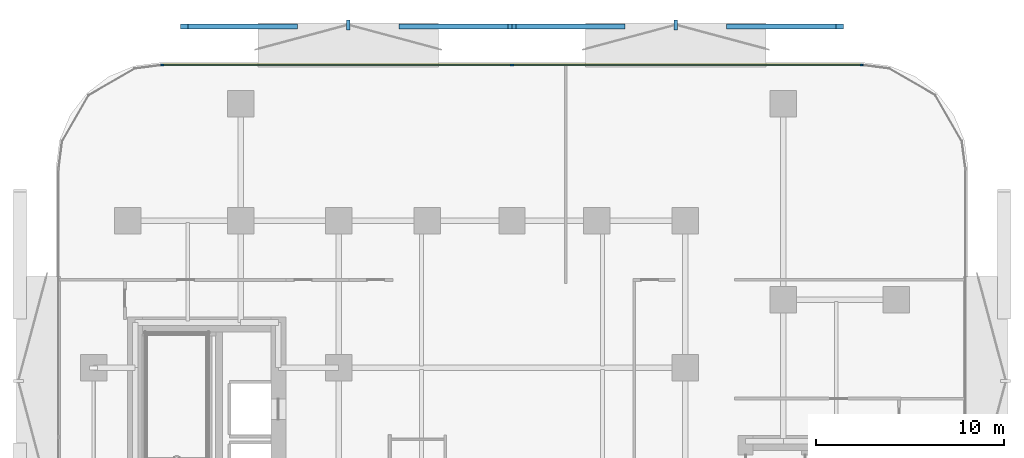
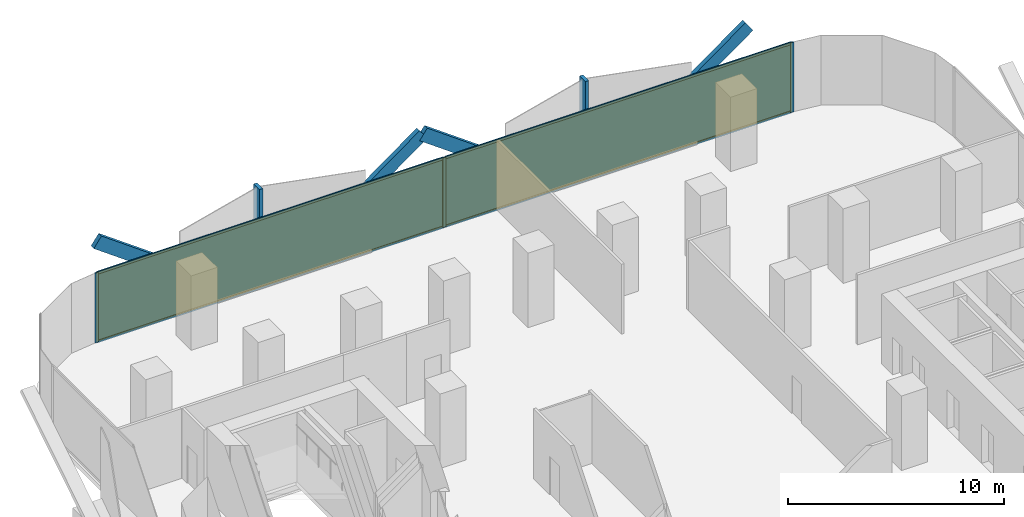
# One storey, part 10 of 15: 13 members, 2 plates, 1 curtain wall.
"""IFC4 building model written with IfcOpenShell, lengths in metres."""

from ifc_helpers import new_model, si_unit, direction, frame, frame_2d, origin, origin_2d, place, context, subcontext, project, spatial, rectangle, extrude, material, layer, layer_set, material_profile, profile_set, type_object, element, aggregate, save


model = new_model("IFC4")

# Units and contexts
model_context = context("Model", 3, precision=1e-05, world=origin(), true_north=direction((0.0, 1.0)))
body_context = subcontext(model_context, "Body", "Model", "MODEL_VIEW")
ifc_project = project(units=[si_unit("LENGTHUNIT", "METRE"), si_unit("AREAUNIT", "SQUARE_METRE"), si_unit("VOLUMEUNIT", "CUBIC_METRE"), si_unit("PLANEANGLEUNIT", "RADIAN"), si_unit("MASSUNIT", "GRAM", prefix="KILO")], contexts=[model_context])

# Member
ifc_material_1 = material(Name="Anodised Bronze Aluminium 6063-T6", Category="aluminium")
ifc_material_profile_1 = material_profile(ifc_material_1, rectangle(XDim=0.260009765625, YDim=0.699951171875, at=origin_2d()))
ifc_profile_set_1 = profile_set([ifc_material_profile_1], Name="Anodised Bronze Aluminium 6063-T6")
member_type_1 = type_object("IfcMemberType", Name="Bronze Diamond Solar-Screen Lattice Rib BDL-700", PredefinedType="MULLION", material=ifc_profile_set_1)
site_placement = place(None, origin())
building_placement = place(site_placement, origin())
storey_placement = place(building_placement, frame((0.0, 0.0, 34.39990234375)))
member_1_placement = place(storey_placement, frame((-5.796875, 28.89990234375, -0.1298828125), z_axis=(0.80979516686, 0.0, 0.58671269607), x_axis=(0.0, 1.0, 0.0)))
member_1 = element("IfcMember", 1, at=member_1_placement, type_object=member_type_1, Name="L08 Bronze Diamond Solar Screen Lattice Rib 21A", PredefinedType="MULLION", context=body_context, shape_type="SweptSolid", body=[
    extrude(rectangle(XDim=0.260009765625, YDim=0.699951171875, at=origin_2d()), origin(), (0.0, 0.0, 1.0), 7.158447265625),
])

member_2_placement = place(storey_placement, frame((-11.593994140625, 28.89990234375, -0.1298828125), z_axis=(-0.80979516686, 0.0, 0.58671269607), x_axis=(0.0, -1.0, 0.0)))
member_2 = element("IfcMember", 2, at=member_2_placement, type_object=member_type_1, Name="L08 Bronze Diamond Solar Screen Lattice Rib 21B", PredefinedType="MULLION", context=body_context, shape_type="SweptSolid", body=[
    extrude(rectangle(XDim=0.260009765625, YDim=0.699951171875, at=origin_2d()), origin(), (0.0, 0.0, 1.0), 7.158447265625),
])

member_3_placement = place(storey_placement, frame((11.593994140625, 28.89990234375, -0.1298828125), z_axis=(0.80979516686, 0.0, 0.58671269607), x_axis=(0.0, 1.0, 0.0)))
member_3 = element("IfcMember", 3, at=member_3_placement, type_object=member_type_1, Name="L08 Bronze Diamond Solar Screen Lattice Rib 22A", PredefinedType="MULLION", context=body_context, shape_type="SweptSolid", body=[
    extrude(rectangle(XDim=0.260009765625, YDim=0.699951171875, at=origin_2d()), origin(), (0.0, 0.0, 1.0), 7.158447265625),
])

member_4_placement = place(storey_placement, frame((5.796875, 28.89990234375, -0.1298828125), z_axis=(-0.80979516686, 0.0, 0.58671269607), x_axis=(0.0, -1.0, 0.0)))
member_4 = element("IfcMember", 4, at=member_4_placement, type_object=member_type_1, Name="L08 Bronze Diamond Solar Screen Lattice Rib 22B", PredefinedType="MULLION", context=body_context, shape_type="SweptSolid", body=[
    extrude(rectangle(XDim=0.260009765625, YDim=0.699951171875, at=origin_2d()), origin(), (0.0, 0.0, 1.0), 7.158447265625),
])

ifc_material_2 = material(Name="Anodised Bronze Aluminium 6063-T6", Category="aluminium")
ifc_material_profile_2 = material_profile(ifc_material_2, rectangle(XDim=0.179931640625, YDim=0.5400390625, at=origin_2d()))
ifc_profile_set_2 = profile_set([ifc_material_profile_2], Name="Anodised Bronze Aluminium 6063-T6")
member_type_2 = type_object("IfcMemberType", Name="Bronze Solar-Screen Vertical Fold Fin BSF-540", PredefinedType="MULLION", material=ifc_profile_set_2)
member_5_placement = place(storey_placement, frame((-8.6953125, 28.97998046875, -0.1298828125), z_axis=(0.0, 0.0, 1.0), x_axis=(1.0, 0.0, 0.0)))
member_5 = element("IfcMember", 5, at=member_5_placement, type_object=member_type_2, Name="L08 Bronze Solar Screen Vertical Fin 21", PredefinedType="MULLION", context=body_context, shape_type="SweptSolid", body=[
    extrude(rectangle(XDim=0.179931640625, YDim=0.5400390625, at=origin_2d()), origin(), (0.0, 0.0, 1.0), 4.199951171875),
])

member_6_placement = place(storey_placement, frame((8.6953125, 28.97998046875, -0.1298828125), z_axis=(0.0, 0.0, 1.0), x_axis=(1.0, 0.0, 0.0)))
member_6 = element("IfcMember", 6, at=member_6_placement, type_object=member_type_2, Name="L08 Bronze Solar Screen Vertical Fin 22", PredefinedType="MULLION", context=body_context, shape_type="SweptSolid", body=[
    extrude(rectangle(XDim=0.179931640625, YDim=0.5400390625, at=origin_2d()), origin(), (0.0, 0.0, 1.0), 4.199951171875),
])

ifc_material_3 = material(Name="Anodised Bronze Aluminium 6063-T6", Category="aluminium")
ifc_material_profile_3 = material_profile(ifc_material_3, rectangle(XDim=0.06494140625, YDim=0.179931640625, at=origin_2d()))
ifc_profile_set_3 = profile_set([ifc_material_profile_3], Name="Anodised Bronze Aluminium 6063-T6")
member_type_3 = type_object("IfcMemberType", Name="CW-Z1 Mullion 65x180", PredefinedType="MULLION", material=ifc_profile_set_3)
member_7_placement = place(storey_placement, frame((-18.558349609375, 26.860107421875, 0.0), z_axis=(0.0, 0.0, 1.0), x_axis=(0.0, 1.0, 0.0)))
member_7 = element("IfcMember", 7, at=member_7_placement, type_object=member_type_3, Name="CW-Z1 mullion 1", PredefinedType="MULLION", context=body_context, shape_type="SweptSolid", body=[
    extrude(rectangle(XDim=0.06494140625, YDim=0.179931640625, at=origin_2d()), origin(), (0.0, 0.0, 1.0), 3.940185546875),
])

member_8_placement = place(storey_placement, frame((0.0, 26.860107421875, 0.0), z_axis=(0.0, 0.0, 1.0), x_axis=(0.0, 1.0, 0.0)))
member_8 = element("IfcMember", 8, at=member_8_placement, type_object=member_type_3, Name="CW-Z1 mullion 2", PredefinedType="MULLION", context=body_context, shape_type="SweptSolid", body=[
    extrude(rectangle(XDim=0.06494140625, YDim=0.179931640625, at=origin_2d()), origin(), (0.0, 0.0, 1.0), 3.940185546875),
])

member_9_placement = place(storey_placement, frame((18.558349609375, 26.860107421875, 0.0), z_axis=(0.0, 0.0, 1.0), x_axis=(0.0, 1.0, 0.0)))
member_9 = element("IfcMember", 9, at=member_9_placement, type_object=member_type_3, Name="CW-Z1 mullion 3", PredefinedType="MULLION", context=body_context, shape_type="SweptSolid", body=[
    extrude(rectangle(XDim=0.06494140625, YDim=0.179931640625, at=origin_2d()), origin(), (0.0, 0.0, 1.0), 3.940185546875),
])

ifc_material_4 = material(Name="Anodised Bronze Aluminium 6063-T6", Category="aluminium")
ifc_material_profile_4 = material_profile(ifc_material_4, rectangle(XDim=0.06494140625, YDim=0.139892578125, at=origin_2d()))
ifc_profile_set_4 = profile_set([ifc_material_profile_4], Name="Anodised Bronze Aluminium 6063-T6")
member_type_4 = type_object("IfcMemberType", Name="CW-Z1 Transom 65x140", PredefinedType="USERDEFINED", material=ifc_profile_set_4)
member_10_placement = place(storey_placement, frame((-18.52587890625, 26.860107421875, 0.03271484375), z_axis=(1.0, 0.0, 0.0), x_axis=(0.0, 1.0, 0.0)))
member_10 = element("IfcMember", 10, at=member_10_placement, type_object=member_type_4, Name="CW-Z1 transom 1.1", ObjectType="TRANSOM", PredefinedType="USERDEFINED", context=body_context, shape_type="SweptSolid", body=[
    extrude(rectangle(XDim=0.06494140625, YDim=0.139892578125, at=origin_2d()), origin(), (0.0, 0.0, 1.0), 18.493408203125),
])

member_11_placement = place(storey_placement, frame((-18.52587890625, 26.860107421875, 3.90771484375), z_axis=(1.0, 0.0, 0.0), x_axis=(0.0, 1.0, 0.0)))
member_11 = element("IfcMember", 11, at=member_11_placement, type_object=member_type_4, Name="CW-Z1 transom 1.2", ObjectType="TRANSOM", PredefinedType="USERDEFINED", context=body_context, shape_type="SweptSolid", body=[
    extrude(rectangle(XDim=0.06494140625, YDim=0.139892578125, at=origin_2d()), origin(), (0.0, 0.0, 1.0), 18.493408203125),
])

member_12_placement = place(storey_placement, frame((0.032470703125, 26.860107421875, 0.03271484375), z_axis=(1.0, 0.0, 0.0), x_axis=(0.0, 1.0, 0.0)))
member_12 = element("IfcMember", 12, at=member_12_placement, type_object=member_type_4, Name="CW-Z1 transom 2.1", ObjectType="TRANSOM", PredefinedType="USERDEFINED", context=body_context, shape_type="SweptSolid", body=[
    extrude(rectangle(XDim=0.06494140625, YDim=0.139892578125, at=origin_2d()), origin(), (0.0, 0.0, 1.0), 18.493408203125),
])

member_13_placement = place(storey_placement, frame((0.032470703125, 26.860107421875, 3.90771484375), z_axis=(1.0, 0.0, 0.0), x_axis=(0.0, 1.0, 0.0)))
member_13 = element("IfcMember", 13, at=member_13_placement, type_object=member_type_4, Name="CW-Z1 transom 2.2", ObjectType="TRANSOM", PredefinedType="USERDEFINED", context=body_context, shape_type="SweptSolid", body=[
    extrude(rectangle(XDim=0.06494140625, YDim=0.139892578125, at=origin_2d()), origin(), (0.0, 0.0, 1.0), 18.493408203125),
])

# Plate
ifc_material_5 = material(Name="Low-E Solar Control Laminated Glass", Category="glass")
ifc_layer_1 = layer(ifc_material_5, 0.028076171875, Name="Low-E Solar Control Laminated Glass")
ifc_layer_set_1 = layer_set([ifc_layer_1], Name="Low-E Solar Control Laminated Glass")
plate_type = type_object("IfcPlateType", Name="CW-Z1 Low-E Double Glazed Panel 28mm", PredefinedType="CURTAIN_PANEL", material=ifc_layer_set_1)
plate_1_placement = place(storey_placement, frame((-9.279052734375, 26.860107421875, 0.065185546875), z_axis=(0.0, 0.0, 1.0), x_axis=(1.0, 0.0, 0.0)))
plate_1 = element("IfcPlate", 14, at=plate_1_placement, type_object=plate_type, Name="CW-Z1 panel 1.1", PredefinedType="CURTAIN_PANEL", context=body_context, shape_type="SweptSolid", body=[
    extrude(rectangle(XDim=18.493408203125, YDim=0.028076171875, at=origin_2d()), origin(), (0.0, 0.0, 1.0), 3.81005859375),
])

plate_2_placement = place(storey_placement, frame((9.279052734375, 26.860107421875, 0.065185546875), z_axis=(0.0, 0.0, 1.0), x_axis=(1.0, 0.0, 0.0)))
plate_2 = element("IfcPlate", 15, at=plate_2_placement, type_object=plate_type, Name="CW-Z1 panel 2.1", PredefinedType="CURTAIN_PANEL", context=body_context, shape_type="SweptSolid", body=[
    extrude(rectangle(XDim=18.493408203125, YDim=0.028076171875, at=origin_2d()), origin(), (0.0, 0.0, 1.0), 3.81005859375),
])

# Site, building, storey
site = spatial("IfcSite", under=ifc_project, at=site_placement, CompositionType="ELEMENT")
building = spatial("IfcBuilding", under=site, at=building_placement, Name="Khairoan Windgate Tower", CompositionType="ELEMENT")
storey = spatial("IfcBuildingStorey", under=building, at=storey_placement, Name="L08", CompositionType="ELEMENT", Elevation=34.39990234375)

# Curtain wall
ifc_material_6 = material(Name="Anodised Bronze Aluminium 6063-T6", Category="aluminium")
ifc_layer_2 = layer(ifc_material_6, 0.179931640625, Name="Anodised Bronze Aluminium 6063-T6")
ifc_layer_set_2 = layer_set([ifc_layer_2], Name="Anodised Bronze Aluminium 6063-T6")
curtain_wall_type = type_object("IfcCurtainWallType", Name="Low-Rise Office Unitised Curtain Wall CW-Z1", PredefinedType="NOTDEFINED", material=ifc_layer_set_2)
curtain_wall_placement = place(storey_placement, frame((-18.5908203125, 26.860107421875, 0.0), z_axis=(0.0, 0.0, 1.0), x_axis=(1.0, 0.0, 0.0)))
curtain_wall = element("IfcCurtainWall", 16, at=curtain_wall_placement, inside=storey, type_object=curtain_wall_type, Name="L08 Unitised Curtain Wall 11", PredefinedType="NOTDEFINED", context=body_context, shape_type="SweptSolid", body=[
    extrude(rectangle(XDim=37.181640625, YDim=0.010009765625, at=frame_2d((18.5908203125, 0.0))), origin(), (0.0, 0.0, 1.0), 3.940185546875),
])

aggregate(curtain_wall, [member_7, member_8, member_9, member_10, member_11, plate_1, member_12, member_13, plate_2, member_1, member_2, member_5, member_3, member_4, member_6])

save(model, "model.ifc")
